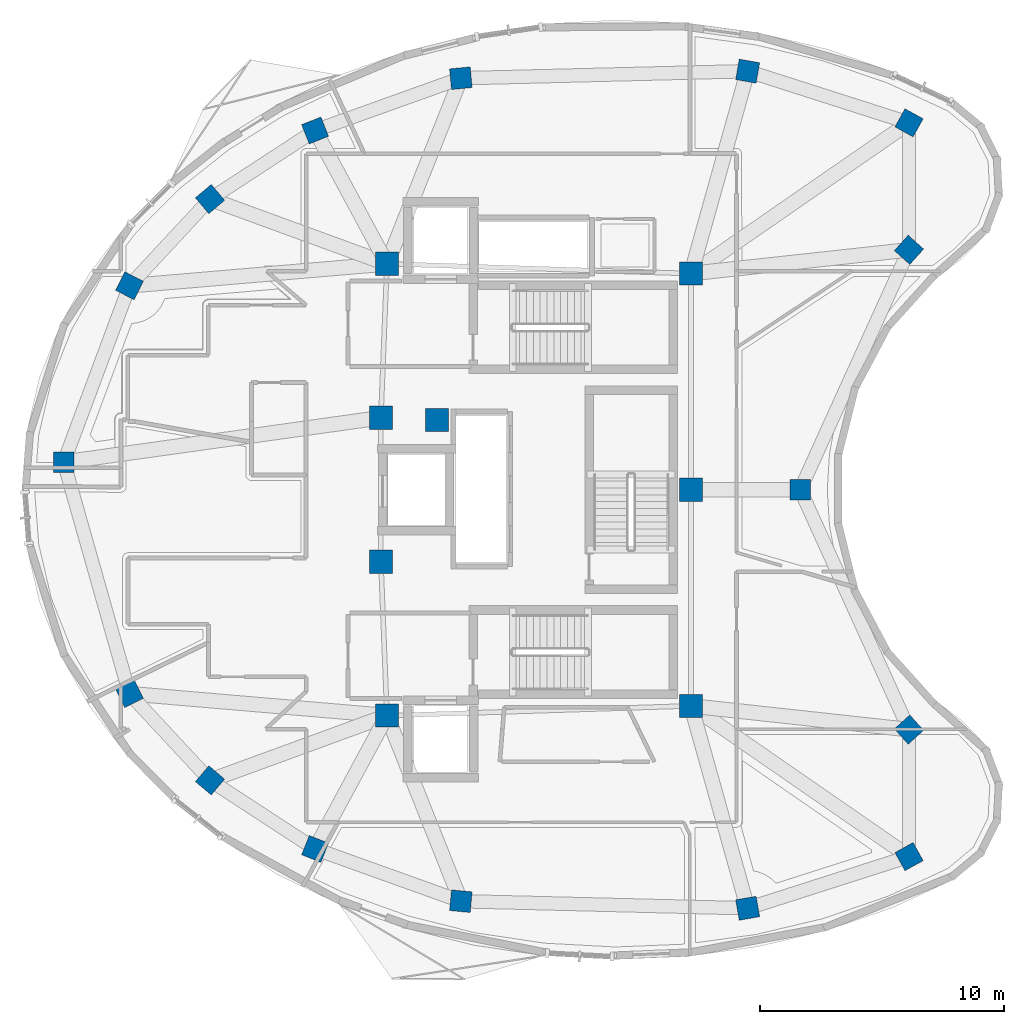
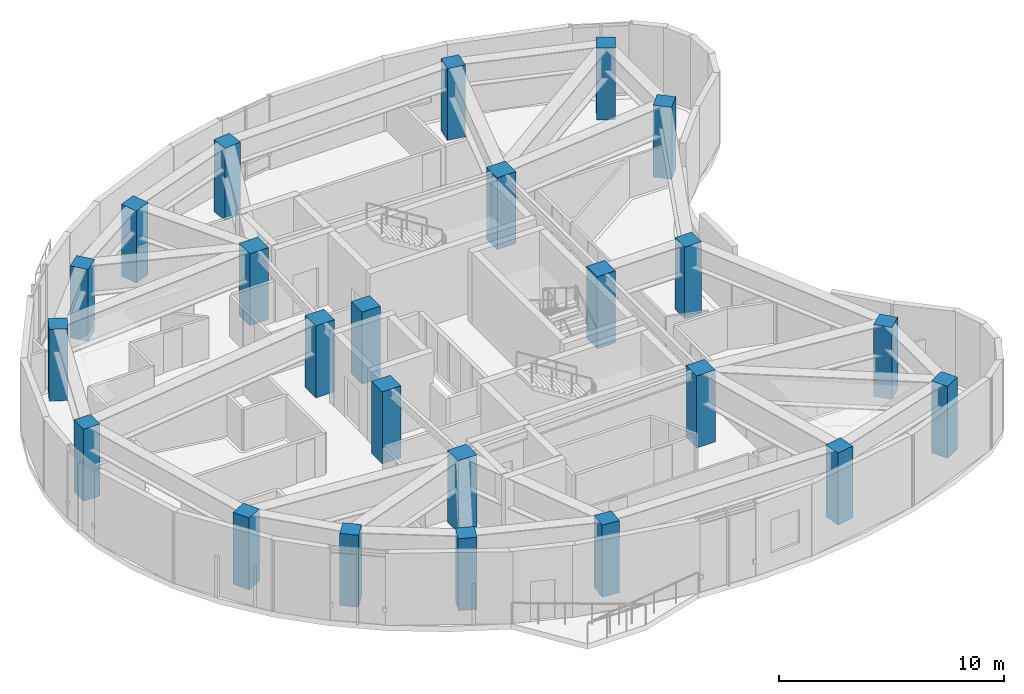
# One storey, part 1 of 12: 24 columns.
"""IFC4 building model written with IfcOpenShell, lengths in metres."""

from ifc_helpers import new_model, si_unit, direction, frame, origin, origin_2d, place, context, subcontext, project, spatial, rectangle, extrude, material, material_profile, profile_set, type_object, element, save


model = new_model("IFC4")

# Units and contexts
model_context = context("Model", 3, precision=1e-05, world=origin(), true_north=direction((0.0, 1.0)))
body_context = subcontext(model_context, "Body", "Model", "MODEL_VIEW")
ifc_project = project(units=[si_unit("LENGTHUNIT", "METRE"), si_unit("AREAUNIT", "SQUARE_METRE"), si_unit("VOLUMEUNIT", "CUBIC_METRE"), si_unit("PLANEANGLEUNIT", "RADIAN"), si_unit("MASSUNIT", "GRAM", prefix="KILO")], contexts=[model_context])

# Site, building, storey
site_placement = place(None, origin())
site = spatial("IfcSite", under=ifc_project, at=site_placement, CompositionType="ELEMENT")
building_placement = place(site_placement, origin())
building = spatial("IfcBuilding", under=site, at=building_placement, Name="Korentha Bioscience Tower", CompositionType="ELEMENT")
storey_placement = place(building_placement, frame((0.0, 0.0, 297.60009765625)))
storey = spatial("IfcBuildingStorey", under=building, at=storey_placement, Name="L68", CompositionType="ELEMENT", Elevation=297.60009765625)

# Columns
ifc_material_1 = material(Name="Concrete C65", Category="concrete")
ifc_material_profile_1 = material_profile(ifc_material_1, rectangle(XDim=0.949951171875, YDim=0.949951171875, at=origin_2d()), Name="Concrete C65")
ifc_profile_set_1 = profile_set([ifc_material_profile_1], Name="Concrete C65 (COL-CP09)")
column_type_1 = type_object("IfcColumnType", Name="Core Pilaster Column RC 950x950", PredefinedType="PILASTER", material=ifc_profile_set_1)
for number, where, z_axis, x_axis, name in (
    (1, (37.550048828125, 35.85009765625, -0.00048828125), (0.0, 0.0, 1.0), (1.0, 0.0, 0.0), "L68 Core Pilaster CP-01"),
    (2, (25.10009765625, 36.25, -0.00048828125), (0.0, 0.0, 1.0), (1.0, 0.0, 0.0), "L68 Core Pilaster CP-02"),
    (3, (24.85009765625, 29.949951171875, -0.00048828125), (0.0, 0.0, 1.0), (1.0, 0.0, 0.0), "L68 Core Pilaster CP-03"),
    (4, (27.14990234375, 29.85009765625, -0.00048828125), (0.0, 0.0, 1.0), (1.0, 0.0, 0.0), "L68 Core Pilaster CP-04"),
    (5, (24.85009765625, 24.050048828125, -0.00048828125), (0.0, 0.0, 1.0), (1.0, 0.0, 0.0), "L68 Core Pilaster CP-05"),
    (6, (25.10009765625, 17.75, -0.00048828125), (0.0, 0.0, 1.0), (1.0, 0.0, 0.0), "L68 Core Pilaster CP-06"),
    (7, (37.550048828125, 18.14990234375, -0.00048828125), (0.0, 0.0, 1.0), (1.0, 0.0, 0.0), "L68 Core Pilaster CP-07"),
    (8, (37.550048828125, 27.0, -0.00048828125), (0.0, 0.0, 1.0), (1.0, 0.0, 0.0), "L68 Core Pilaster CP-08"),
):
    element("IfcColumn", number, at=place(storey_placement, frame(where, z_axis=z_axis, x_axis=x_axis)), inside=storey, type_object=column_type_1, Name=name, PredefinedType="PILASTER", context=body_context, shape_type="SweptSolid", body=[
        extrude(rectangle(XDim=0.949951171875, YDim=0.949951171875, at=origin_2d()), origin(), (0.0, 0.0, 1.0), 3.90087890625),
    ])
ifc_material_2 = material(Name="Concrete C50", Category="concrete")
ifc_material_profile_2 = material_profile(ifc_material_2, rectangle(XDim=0.85009765625, YDim=0.85009765625, at=origin_2d()), Name="Concrete C50")
ifc_profile_set_2 = profile_set([ifc_material_profile_2], Name="Concrete C50 (COL-P08)")
column_type_2 = type_object("IfcColumnType", Name="Perimeter Column RC 850x850", PredefinedType="COLUMN", material=ifc_profile_set_2)
for number, where, z_axis, x_axis, name in (
    (9, (46.476318359375, 42.022705078125, -0.00048828125), (0.0, 0.0, 1.0), (-0.874535078577, 0.484962262797, 0.0), "L68 Perimeter Column 01"),
    (10, (39.869140625, 44.13818359375, -0.00048828125), (0.0, 0.0, 1.0), (-0.984868307662, 0.173304404339, 0.0), "L68 Perimeter Column 02"),
    (11, (28.125732421875, 43.848876953125, -0.00048828125), (0.0, 0.0, 1.0), (0.995462868748, 0.095150811579, 0.0), "L68 Perimeter Column 03"),
    (12, (22.156982421875, 41.709228515625, -0.00048828125), (0.0, 0.0, 1.0), (0.930225540858, 0.366988341962, 0.0), "L68 Perimeter Column 04"),
    (13, (17.85498046875, 38.90087890625, -0.00048828125), (0.0, 0.0, 1.0), (0.764246456939, 0.644924300253, 0.0), "L68 Perimeter Column 05"),
    (14, (14.556884765625, 35.35107421875, -0.00048828125), (0.0, 0.0, 1.0), (0.453057191132, 0.891481453292, 0.0), "L68 Perimeter Column 06"),
    (15, (11.869384765625, 28.129150390625, -0.00048828125), (0.0, 0.0, 1.0), (0.0, 1.0, 0.0), "L68 Perimeter Column 07"),
    (16, (14.556884765625, 18.64892578125, -0.00048828125), (0.0, 0.0, 1.0), (-0.453057191132, 0.891481453292, 0.0), "L68 Perimeter Column 08"),
    (17, (17.85498046875, 15.09912109375, -0.00048828125), (0.0, 0.0, 1.0), (-0.764246456939, 0.644924300253, 0.0), "L68 Perimeter Column 09"),
    (18, (22.156982421875, 12.290771484375, -0.00048828125), (0.0, 0.0, 1.0), (-0.930225540858, 0.366988341962, 0.0), "L68 Perimeter Column 10"),
    (19, (28.125732421875, 10.151123046875, -0.00048828125), (0.0, 0.0, 1.0), (-0.995462868748, 0.095150811579, 0.0), "L68 Perimeter Column 11"),
    (20, (39.869140625, 9.86181640625, -0.00048828125), (0.0, 0.0, 1.0), (0.984868307662, 0.173304404339, 0.0), "L68 Perimeter Column 12"),
    (21, (46.476318359375, 11.977294921875, -0.00048828125), (0.0, 0.0, 1.0), (0.874535078577, 0.484962262797, 0.0), "L68 Perimeter Column 13"),
    (22, (46.474609375, 17.177490234375, -0.00048828125), (0.0, 0.0, 1.0), (-0.669130606359, 0.743144825477, 0.0), "L68 Perimeter Column 14"),
    (23, (42.020263671875, 27.0, -0.00048828125), (0.0, 0.0, 1.0), (0.0, 1.0, 0.0), "L68 Perimeter Column 15"),
    (24, (46.474609375, 36.822509765625, -0.00048828125), (0.0, 0.0, 1.0), (0.669130606359, 0.743144825477, 0.0), "L68 Perimeter Column 16"),
):
    element("IfcColumn", number, at=place(storey_placement, frame(where, z_axis=z_axis, x_axis=x_axis)), inside=storey, type_object=column_type_2, Name=name, PredefinedType="COLUMN", context=body_context, shape_type="SweptSolid", body=[
        extrude(rectangle(XDim=0.85009765625, YDim=0.85009765625, at=origin_2d()), origin(), (0.0, 0.0, 1.0), 3.90087890625),
    ])

save(model, "model.ifc")
